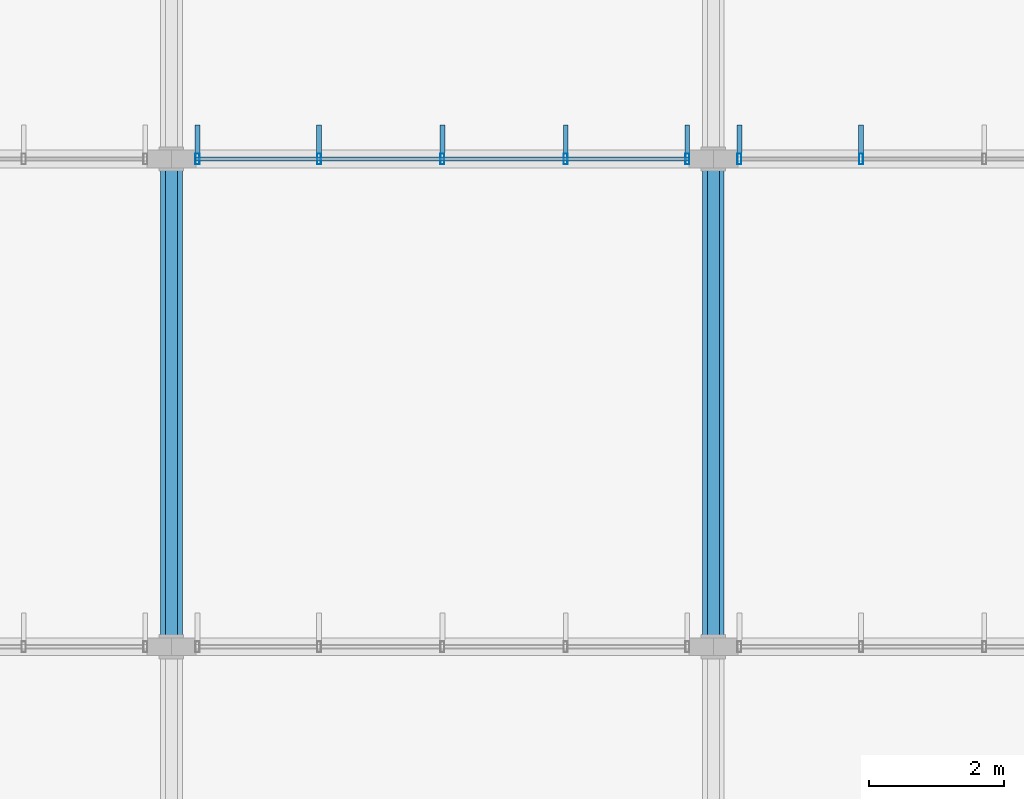
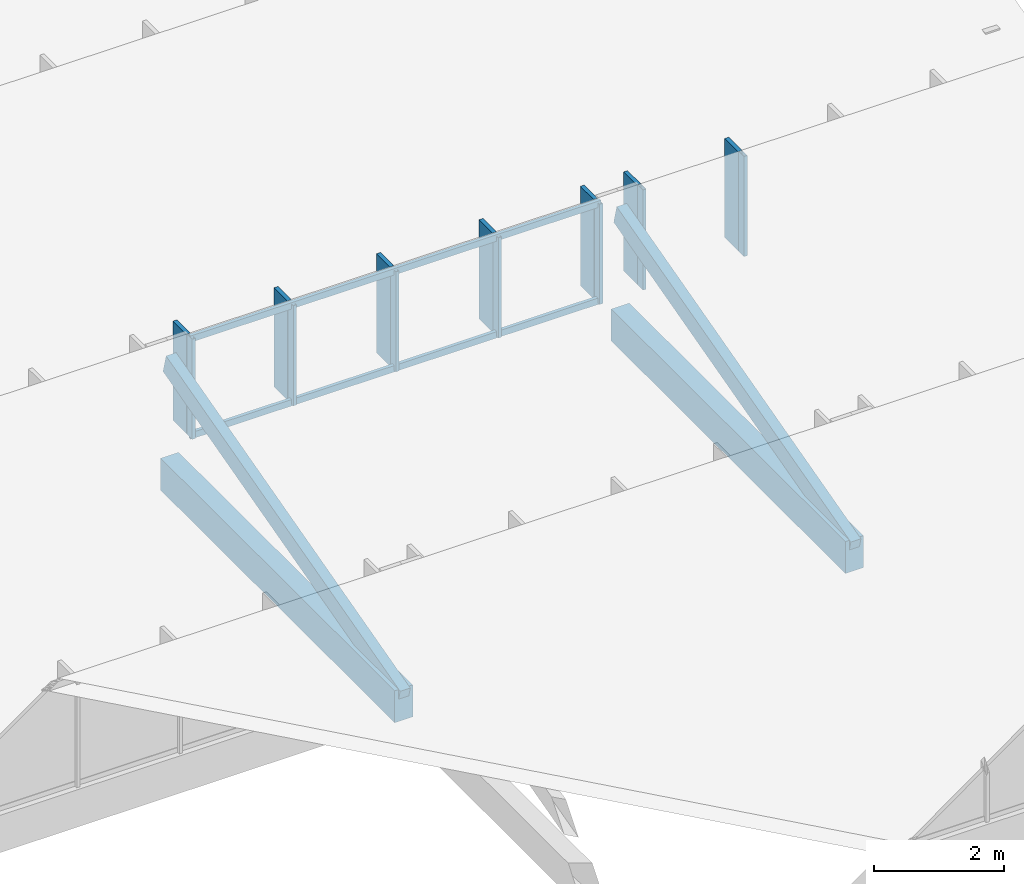
# One storey, part 30 of 94: 20 members, 2 elements without a shape of their own.
"""IFC4 building model written with IfcOpenShell, lengths in metres."""

from ifc_helpers import new_model, si_unit, direction, frame, origin, origin_2d, place, context, subcontext, project, spatial, rectangle, hollow_rectangle, extrude, material, material_profile, profile_set, type_object, element, aggregate, save


model = new_model("IFC4")

# Units and contexts
model_context = context("Model", 3, precision=1e-05, world=origin(), true_north=direction((0.0, 1.0)))
body_context = subcontext(model_context, "Body", "Model", "MODEL_VIEW")
ifc_project = project(units=[si_unit("LENGTHUNIT", "METRE"), si_unit("AREAUNIT", "SQUARE_METRE"), si_unit("VOLUMEUNIT", "CUBIC_METRE"), si_unit("PLANEANGLEUNIT", "RADIAN"), si_unit("MASSUNIT", "GRAM", prefix="KILO")], contexts=[model_context])

# Site, building, storey
site_placement = place(None, origin())
site = spatial("IfcSite", under=ifc_project, at=site_placement, CompositionType="ELEMENT")
building_placement = place(site_placement, origin())
building = spatial("IfcBuilding", under=site, at=building_placement, Name="Chiffa Square Polytechnic", CompositionType="ELEMENT")
storey_placement = place(building_placement, frame((0.0, 0.0, 18.0)))
storey = spatial("IfcBuildingStorey", under=building, at=storey_placement, Name="L04", CompositionType="ELEMENT", Elevation=18.0)

# Curtain wall, members
ifc_material_1 = material(Name="Aluminium EN AW-6060 T66 and glulam shading", Category="wood")
curtain_wall_type_1 = type_object("IfcCurtainWallType", Name="CW-VERT-450X440", PredefinedType="USERDEFINED", material=ifc_material_1)
curtain_wall_1_placement = place(storey_placement, origin())
curtain_wall_1 = element("IfcCurtainWall", 1, at=curtain_wall_1_placement, inside=storey, type_object=curtain_wall_type_1, Name="Curtain wall CW-V6-SAW5-3", ObjectType="CURTAIN WALL", PredefinedType="USERDEFINED")
ifc_material_2 = material(Name="Aluminium EN AW-6060 T66", Category="aluminium")
ifc_material_profile_1 = material_profile(ifc_material_2, hollow_rectangle(XDim=0.06005859375, YDim=0.159912109375, WallThickness=0.00390625, at=origin_2d()), Name="ALU 60x160x4")
ifc_profile_set_1 = profile_set([ifc_material_profile_1], Name="Aluminium EN AW-6060 T66")
member_type_1 = type_object("IfcMemberType", Name="CWM-ALU-65X150", PredefinedType="MULLION", material=ifc_profile_set_1)
member_1_placement = place(storey_placement, frame((23.614990234375, 72.60009765625, 0.699951171875), z_axis=(0.0, 0.0, 1.0), x_axis=(1.0, 0.0, 0.0)))
member_1 = element("IfcMember", 2, at=member_1_placement, type_object=member_type_1, Name="Curtain wall mullion CW-V6-SAW5-3-M00", PredefinedType="MULLION", context=body_context, shape_type="SweptSolid", body=[
    extrude(hollow_rectangle(XDim=0.06005859375, YDim=0.159912109375, WallThickness=0.00390625, at=origin_2d()), origin(), (0.0, 0.0, 1.0), 1.879150390625),
])
member_2_placement = place(storey_placement, frame((21.820068359375, 72.60009765625, 0.699951171875), z_axis=(0.0, 0.0, 1.0), x_axis=(1.0, 0.0, 0.0)))
member_2 = element("IfcMember", 3, at=member_2_placement, type_object=member_type_1, Name="Curtain wall mullion CW-V6-SAW5-3-M01", PredefinedType="MULLION", context=body_context, shape_type="SweptSolid", body=[
    extrude(hollow_rectangle(XDim=0.06005859375, YDim=0.159912109375, WallThickness=0.00390625, at=origin_2d()), origin(), (0.0, 0.0, 1.0), 1.879150390625),
])
member_3_placement = place(storey_placement, frame((20.0, 72.60009765625, 0.699951171875), z_axis=(0.0, 0.0, 1.0), x_axis=(1.0, 0.0, 0.0)))
member_3 = element("IfcMember", 4, at=member_3_placement, type_object=member_type_1, Name="Curtain wall mullion CW-V6-SAW5-3-M02", PredefinedType="MULLION", context=body_context, shape_type="SweptSolid", body=[
    extrude(hollow_rectangle(XDim=0.06005859375, YDim=0.159912109375, WallThickness=0.00390625, at=origin_2d()), origin(), (0.0, 0.0, 1.0), 1.879150390625),
])
member_4_placement = place(storey_placement, frame((18.179931640625, 72.60009765625, 0.699951171875), z_axis=(0.0, 0.0, 1.0), x_axis=(1.0, 0.0, 0.0)))
member_4 = element("IfcMember", 5, at=member_4_placement, type_object=member_type_1, Name="Curtain wall mullion CW-V6-SAW5-3-M03", PredefinedType="MULLION", context=body_context, shape_type="SweptSolid", body=[
    extrude(hollow_rectangle(XDim=0.06005859375, YDim=0.159912109375, WallThickness=0.00390625, at=origin_2d()), origin(), (0.0, 0.0, 1.0), 1.879150390625),
])
member_5_placement = place(storey_placement, frame((16.385009765625, 72.60009765625, 0.699951171875), z_axis=(0.0, 0.0, 1.0), x_axis=(1.0, 0.0, 0.0)))
member_5 = element("IfcMember", 6, at=member_5_placement, type_object=member_type_1, Name="Curtain wall mullion CW-V6-SAW5-3-M04", PredefinedType="MULLION", context=body_context, shape_type="SweptSolid", body=[
    extrude(hollow_rectangle(XDim=0.06005859375, YDim=0.159912109375, WallThickness=0.00390625, at=origin_2d()), origin(), (0.0, 0.0, 1.0), 1.879150390625),
])

curtain_wall_type_2 = type_object("IfcCurtainWallType", Name="CW-VERT-600X440", PredefinedType="USERDEFINED", material=ifc_material_1)
curtain_wall_2_placement = place(storey_placement, origin())
curtain_wall_2 = element("IfcCurtainWall", 7, at=curtain_wall_2_placement, inside=storey, type_object=curtain_wall_type_2, Name="Curtain wall CW-V6-SAW5-4", ObjectType="CURTAIN WALL", PredefinedType="USERDEFINED")
member_6_placement = place(storey_placement, frame((26.179931640625, 72.60009765625, 0.699951171875), z_axis=(0.0, 0.0, 1.0), x_axis=(1.0, 0.0, 0.0)))
member_6 = element("IfcMember", 8, at=member_6_placement, type_object=member_type_1, Name="Curtain wall mullion CW-V6-SAW5-4-M03", PredefinedType="MULLION", context=body_context, shape_type="SweptSolid", body=[
    extrude(hollow_rectangle(XDim=0.06005859375, YDim=0.159912109375, WallThickness=0.00390625, at=origin_2d()), origin(), (0.0, 0.0, 1.0), 1.879150390625),
])
member_7_placement = place(storey_placement, frame((24.385009765625, 72.60009765625, 0.699951171875), z_axis=(0.0, 0.0, 1.0), x_axis=(1.0, 0.0, 0.0)))
member_7 = element("IfcMember", 9, at=member_7_placement, type_object=member_type_1, Name="Curtain wall mullion CW-V6-SAW5-4-M04", PredefinedType="MULLION", context=body_context, shape_type="SweptSolid", body=[
    extrude(hollow_rectangle(XDim=0.06005859375, YDim=0.159912109375, WallThickness=0.00390625, at=origin_2d()), origin(), (0.0, 0.0, 1.0), 1.879150390625),
])

# Member
ifc_material_3 = material(Name="Glulam GL28h", Category="wood")
ifc_material_profile_2 = material_profile(ifc_material_3, rectangle(XDim=0.070068359375, YDim=0.419921875, at=origin_2d()), Name="GL28h 70x420")
ifc_profile_set_2 = profile_set([ifc_material_profile_2], Name="Glulam GL28h")
member_type_2 = type_object("IfcMemberType", Name="CWM-GL-70X420", PredefinedType="MULLION", material=ifc_profile_set_2)
member_8_placement = place(storey_placement, frame((23.614990234375, 72.89208984375, 0.7099609375), z_axis=(0.0, 0.0, 1.0), x_axis=(-1.0, 0.0, 0.0)))
member_8 = element("IfcMember", 10, at=member_8_placement, type_object=member_type_2, Name="Exterior glulam solar fin CW-V6-SAW5-3-FN00", PredefinedType="MULLION", context=body_context, shape_type="SweptSolid", body=[
    extrude(rectangle(XDim=0.070068359375, YDim=0.419921875, at=origin_2d()), origin(), (0.0, 0.0, 1.0), 1.859130859375),
])

member_9_placement = place(storey_placement, frame((21.820068359375, 72.89208984375, 0.7099609375), z_axis=(0.0, 0.0, 1.0), x_axis=(-1.0, 0.0, 0.0)))
member_9 = element("IfcMember", 11, at=member_9_placement, type_object=member_type_2, Name="Exterior glulam solar fin CW-V6-SAW5-3-FN01", PredefinedType="MULLION", context=body_context, shape_type="SweptSolid", body=[
    extrude(rectangle(XDim=0.070068359375, YDim=0.419921875, at=origin_2d()), origin(), (0.0, 0.0, 1.0), 1.859130859375),
])

member_10_placement = place(storey_placement, frame((20.0, 72.89208984375, 0.7099609375), z_axis=(0.0, 0.0, 1.0), x_axis=(-1.0, 0.0, 0.0)))
member_10 = element("IfcMember", 12, at=member_10_placement, type_object=member_type_2, Name="Exterior glulam solar fin CW-V6-SAW5-3-FN02", PredefinedType="MULLION", context=body_context, shape_type="SweptSolid", body=[
    extrude(rectangle(XDim=0.070068359375, YDim=0.419921875, at=origin_2d()), origin(), (0.0, 0.0, 1.0), 1.859130859375),
])

member_11_placement = place(storey_placement, frame((18.179931640625, 72.89208984375, 0.7099609375), z_axis=(0.0, 0.0, 1.0), x_axis=(-1.0, 0.0, 0.0)))
member_11 = element("IfcMember", 13, at=member_11_placement, type_object=member_type_2, Name="Exterior glulam solar fin CW-V6-SAW5-3-FN03", PredefinedType="MULLION", context=body_context, shape_type="SweptSolid", body=[
    extrude(rectangle(XDim=0.070068359375, YDim=0.419921875, at=origin_2d()), origin(), (0.0, 0.0, 1.0), 1.859130859375),
])

member_12_placement = place(storey_placement, frame((16.385009765625, 72.89208984375, 0.7099609375), z_axis=(0.0, 0.0, 1.0), x_axis=(-1.0, 0.0, 0.0)))
member_12 = element("IfcMember", 14, at=member_12_placement, type_object=member_type_2, Name="Exterior glulam solar fin CW-V6-SAW5-3-FN04", PredefinedType="MULLION", context=body_context, shape_type="SweptSolid", body=[
    extrude(rectangle(XDim=0.070068359375, YDim=0.419921875, at=origin_2d()), origin(), (0.0, 0.0, 1.0), 1.859130859375),
])

member_13_placement = place(storey_placement, frame((26.179931640625, 72.89208984375, 0.7099609375), z_axis=(0.0, 0.0, 1.0), x_axis=(-1.0, 0.0, 0.0)))
member_13 = element("IfcMember", 15, at=member_13_placement, type_object=member_type_2, Name="Exterior glulam solar fin CW-V6-SAW5-4-FN03", PredefinedType="MULLION", context=body_context, shape_type="SweptSolid", body=[
    extrude(rectangle(XDim=0.070068359375, YDim=0.419921875, at=origin_2d()), origin(), (0.0, 0.0, 1.0), 1.859130859375),
])

member_14_placement = place(storey_placement, frame((24.385009765625, 72.89208984375, 0.7099609375), z_axis=(0.0, 0.0, 1.0), x_axis=(-1.0, 0.0, 0.0)))
member_14 = element("IfcMember", 16, at=member_14_placement, type_object=member_type_2, Name="Exterior glulam solar fin CW-V6-SAW5-4-FN04", PredefinedType="MULLION", context=body_context, shape_type="SweptSolid", body=[
    extrude(rectangle(XDim=0.070068359375, YDim=0.419921875, at=origin_2d()), origin(), (0.0, 0.0, 1.0), 1.859130859375),
])

aggregate(curtain_wall_2, [member_6, member_13, member_7, member_14])

ifc_material_profile_3 = material_profile(ifc_material_2, hollow_rectangle(XDim=0.06005859375, YDim=0.1201171875, WallThickness=0.00390625, at=origin_2d()), Name="ALU 60x120x4")
ifc_profile_set_3 = profile_set([ifc_material_profile_3], Name="Aluminium EN AW-6060 T66")
member_type_3 = type_object("IfcMemberType", Name="CWT-ALU-65X120", PredefinedType="USERDEFINED", material=ifc_profile_set_3)
member_15_placement = place(storey_placement, frame((23.64208984375, 72.60009765625, 0.72998046875), z_axis=(-1.0, 0.0, 0.0), x_axis=(0.0, -1.0, 0.0)))
member_15 = element("IfcMember", 17, at=member_15_placement, type_object=member_type_3, Name="Curtain wall transom CW-V6-SAW5-3-T01", ObjectType="TRANSOM", PredefinedType="USERDEFINED", context=body_context, shape_type="SweptSolid", body=[
    extrude(hollow_rectangle(XDim=0.06005859375, YDim=0.1201171875, WallThickness=0.00390625, at=origin_2d()), origin(), (0.0, 0.0, 1.0), 7.2841796875),
])

member_16_placement = place(storey_placement, frame((23.64208984375, 72.60009765625, 2.549072265625), z_axis=(-1.0, 0.0, 0.0), x_axis=(0.0, -1.0, 0.0)))
member_16 = element("IfcMember", 18, at=member_16_placement, type_object=member_type_3, Name="Curtain wall transom CW-V6-SAW5-3-T02", ObjectType="TRANSOM", PredefinedType="USERDEFINED", context=body_context, shape_type="SweptSolid", body=[
    extrude(hollow_rectangle(XDim=0.06005859375, YDim=0.1201171875, WallThickness=0.00390625, at=origin_2d()), origin(), (0.0, 0.0, 1.0), 7.2841796875),
])

aggregate(curtain_wall_1, [member_1, member_8, member_2, member_9, member_3, member_10, member_4, member_11, member_5, member_12, member_15, member_16])

# Members
ifc_material_4 = material(Name="Glulam GL32c", Category="wood")
ifc_material_profile_4 = material_profile(ifc_material_4, rectangle(XDim=0.320068359375, YDim=0.60009765625, at=origin_2d()), Name="GL32c 320x600")
ifc_profile_set_4 = profile_set([ifc_material_profile_4], Name="Glulam GL32c")
member_type_4 = type_object("IfcMemberType", Name="MEM-CHORD-GL320", PredefinedType="CHORD", material=ifc_profile_set_4)
for number, where, z_axis, x_axis, name in (
    (19, (16.0, 65.39990234375, 0.179931640625), (0.0, 1.0, 0.0), (-1.0, 0.0, 0.0), "Studio sawtooth tie chord TCB-V6-SAW-023"),
    (20, (24.0, 65.39990234375, 0.179931640625), (0.0, 1.0, 0.0), (-1.0, 0.0, 0.0), "Studio sawtooth tie chord TCB-V6-SAW-024"),
):
    element("IfcMember", number, at=place(storey_placement, frame(where, z_axis=z_axis, x_axis=x_axis)), inside=storey, type_object=member_type_4, Name=name, PredefinedType="CHORD", context=body_context, shape_type="SweptSolid", body=[
        extrude(rectangle(XDim=0.320068359375, YDim=0.60009765625, at=origin_2d()), origin(), (0.0, 0.0, 1.0), 7.2001953125),
    ])
ifc_material_profile_5 = material_profile(ifc_material_3, rectangle(XDim=0.179931640625, YDim=0.360107421875, at=origin_2d()), Name="GL28h 180x360")
ifc_profile_set_5 = profile_set([ifc_material_profile_5], Name="Glulam GL28h")
member_type_5 = type_object("IfcMemberType", Name="MEM-RFT-GL180", PredefinedType="RAFTER", material=ifc_profile_set_5)
for number, where, z_axis, x_axis, name in (
    (21, (16.0, 65.39990234375, 0.300048828125), (0.0, 0.965936941461, 0.258777559151), (-1.0, 0.0, 0.0), "Studio sawtooth glulam rafter RF-V6-L04-023"),
    (22, (24.0, 65.39990234375, 0.300048828125), (0.0, 0.965936941461, 0.258777559151), (-1.0, 0.0, 0.0), "Studio sawtooth glulam rafter RF-V6-L04-024"),
):
    element("IfcMember", number, at=place(storey_placement, frame(where, z_axis=z_axis, x_axis=x_axis)), inside=storey, type_object=member_type_5, Name=name, PredefinedType="RAFTER", context=body_context, shape_type="SweptSolid", body=[
        extrude(rectangle(XDim=0.179931640625, YDim=0.360107421875, at=origin_2d()), origin(), (0.0, 0.0, 1.0), 7.4541015625),
    ])

save(model, "model.ifc")
